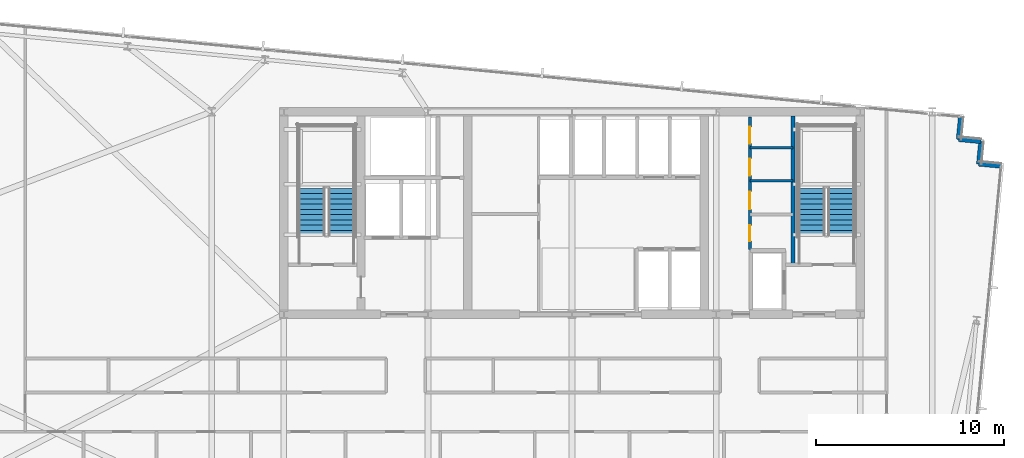
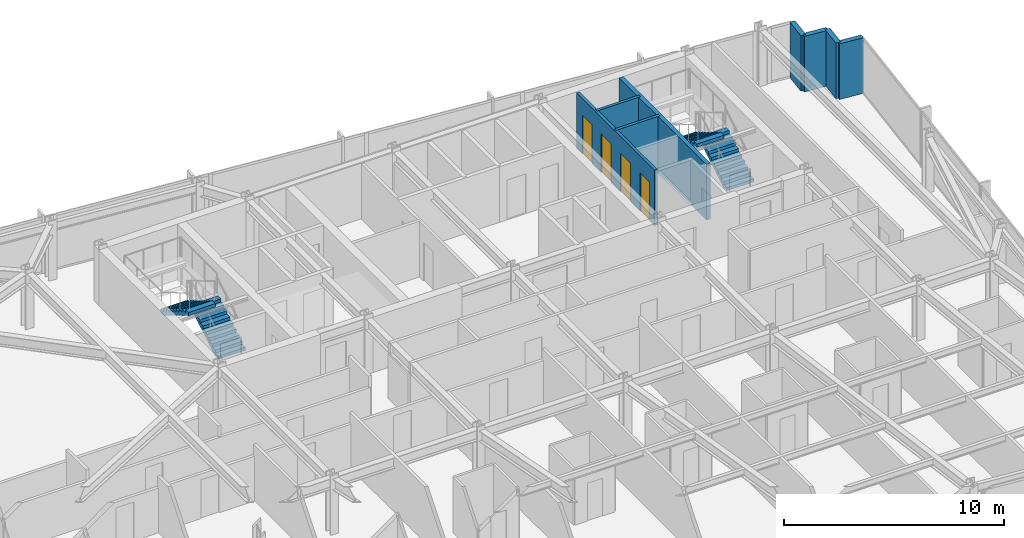
# One storey, part 32 of 38: 8 walls, 4 doors, 4 stair flights, 4 openings, 2 elements without a shape of their own.
"""IFC4 building model written with IfcOpenShell, lengths in metres."""

from ifc_helpers import new_model, si_unit, direction, frame, frame_2d, origin, place, context, subcontext, project, spatial, polyline, rectangle, outline, extrude, material, layer, layer_set, type_object, element, fill, aggregate, save


model = new_model("IFC4")

# Units and contexts
model_context = context("Model", 3, precision=1e-05, world=origin(), true_north=direction((0.0, 1.0)))
body_context = subcontext(model_context, "Body", "Model", "MODEL_VIEW")
ifc_project = project(units=[si_unit("LENGTHUNIT", "METRE"), si_unit("AREAUNIT", "SQUARE_METRE"), si_unit("VOLUMEUNIT", "CUBIC_METRE"), si_unit("PLANEANGLEUNIT", "RADIAN"), si_unit("MASSUNIT", "GRAM", prefix="KILO")], contexts=[model_context])

# Site, building, storey
site_placement = place(None, origin())
site = spatial("IfcSite", under=ifc_project, at=site_placement, CompositionType="ELEMENT")
building_placement = place(site_placement, origin())
building = spatial("IfcBuilding", under=site, at=building_placement, Name="Yelkora Congress Tower", CompositionType="ELEMENT")
storey_placement = place(building_placement, frame((0.0, 0.0, 178.699951171875)))
storey = spatial("IfcBuildingStorey", under=building, at=storey_placement, Name="L49", CompositionType="ELEMENT", Elevation=178.699951171875)

# Walls
ifc_material_1 = material(Name="Concrete C50/60", Category="concrete")
ifc_layer_1 = layer(ifc_material_1, 0.219970703125)
ifc_layer_set_1 = layer_set([ifc_layer_1], Name="Concrete C50/60")
wall_type_1 = type_object("IfcWallType", Name="WALL-CORE-INT-220", PredefinedType="SHEAR", material=ifc_layer_set_1)
wall_1_placement = place(storey_placement, frame((50.179931640625, 38.050048828125, 0.0), z_axis=(0.0, 0.0, 1.0), x_axis=(0.0, 1.0, 0.0)))
element("IfcWall", 1, at=wall_1_placement, inside=storey, type_object=wall_type_1, Name="L49 ST02 West Stair Shear Wall", PredefinedType="SHEAR", context=body_context, shape_type="SweptSolid", body=[
    extrude(rectangle(XDim=7.925048828125, YDim=0.219970703125, at=frame_2d((3.96240234375, 0.0))), origin(), (0.0, 0.0, 1.0), 3.080078125),
])
ifc_material_2 = material(Name="Concrete C40/50", Category="concrete")
ifc_layer_2 = layer(ifc_material_2, 0.239990234375)
ifc_layer_set_2 = layer_set([ifc_layer_2], Name="Concrete C40/50")
wall_type_2 = type_object("IfcWallType", Name="WALL-EXT-LIMESTONE-240", PredefinedType="SOLIDWALL", material=ifc_layer_set_2)
for number, where, z_axis, x_axis, name in (
    (2, (59.108642578125, 45.923095703125, 0.0), (0.0, 0.0, 1.0), (-0.095817067274, -0.995398960025, 0.0), "L49 Serrated Corner Limestone Pier 11"),
    (3, (58.99365234375, 44.728515625, 0.0), (0.0, 0.0, 1.0), (0.995398960025, -0.095817067274, 0.0), "L49 Serrated Corner Limestone Pier 12"),
    (4, (60.188232421875, 44.613525390625, 0.0), (0.0, 0.0, 1.0), (-0.096018626938, -0.995379537303, 0.0), "L49 Serrated Corner Limestone Pier 13"),
    (5, (60.072998046875, 43.4189453125, 0.0), (0.0, 0.0, 1.0), (0.995398960025, -0.095817067274, 0.0), "L49 Serrated Corner Limestone Pier 14"),
):
    element("IfcWall", number, at=place(storey_placement, frame(where, z_axis=z_axis, x_axis=x_axis)), inside=storey, type_object=wall_type_2, Name=name, PredefinedType="SOLIDWALL", context=body_context, shape_type="SweptSolid", body=[
        extrude(rectangle(XDim=1.2001953125, YDim=0.239990234375, at=frame_2d((0.60009765625, 0.0))), origin(), (0.0, 0.0, 1.0), 3.080078125),
    ])
ifc_material_3 = material(Name="Acoustic metal-stud gypsum partition", Category="gypsum")
ifc_layer_3 = layer(ifc_material_3, 0.14990234375)
ifc_layer_set_3 = layer_set([ifc_layer_3], Name="Acoustic metal-stud gypsum partition")
wall_type_3 = type_object("IfcWallType", Name="WALL-INT-150-NR", PredefinedType="PARTITIONING", material=ifc_layer_set_3)
for number, where, z_axis, x_axis, name in (
    (6, (47.8798828125, 42.52001953125, 0.0), (0.0, 0.0, 1.0), (1.0, 0.0, 0.0), "L49 Partition Wall 25"),
    (7, (47.8798828125, 44.280029296875, 0.0), (0.0, 0.0, 1.0), (1.0, 0.0, 0.0), "L49 Partition Wall 26"),
):
    element("IfcWall", number, at=place(storey_placement, frame(where, z_axis=z_axis, x_axis=x_axis)), inside=storey, type_object=wall_type_3, Name=name, PredefinedType="PARTITIONING", context=body_context, shape_type="SweptSolid", body=[
        extrude(rectangle(XDim=2.300048828125, YDim=0.14990234375, at=frame_2d((1.14990234375, 0.0))), origin(), (0.0, 0.0, 1.0), 3.080078125),
    ])

# Wall, openings, doors
wall_2_placement = place(storey_placement, frame((47.8798828125, 38.85009765625, 0.0), z_axis=(0.0, 0.0, 1.0), x_axis=(0.0, 1.0, 0.0)))
wall_2 = element("IfcWall", 8, at=wall_2_placement, inside=storey, type_object=wall_type_3, Name="L49 Partition Wall 27", PredefinedType="PARTITIONING", context=body_context, shape_type="SweptSolid", body=[
    extrude(rectangle(XDim=7.06982421875, YDim=0.14990234375, at=frame_2d((3.534912109375, 0.0))), origin(), (0.0, 0.0, 1.0), 3.080078125),
])
opening_1_placement = place(wall_2_placement, frame((0.449951171875, 0.0, 0.0)))
opening_1 = element("IfcOpeningElement", 9, at=opening_1_placement, cuts=wall_2, Name="Opening DR-085N", PredefinedType="OPENING", context=body_context, shape_type="SweptSolid", body=[
    extrude(rectangle(XDim=0.85009765625, YDim=2.14990234375, at=frame_2d((0.425048828125, 1.074951171875))), frame((0.0, 0.0849609375, 0.0), z_axis=(0.0, -1.0, 0.0), x_axis=(1.0, 0.0, 0.0)), (0.0, 0.0, 1.0), 0.169921875),
])
opening_2_placement = place(wall_2_placement, frame((2.14990234375, 0.0, 0.0)))
opening_2 = element("IfcOpeningElement", 10, at=opening_2_placement, cuts=wall_2, Name="Opening DR-095N", PredefinedType="OPENING", context=body_context, shape_type="SweptSolid", body=[
    extrude(rectangle(XDim=0.949951171875, YDim=2.14990234375, at=frame_2d((0.47509765625, 1.074951171875))), frame((0.0, 0.0849609375, 0.0), z_axis=(0.0, -1.0, 0.0), x_axis=(1.0, 0.0, 0.0)), (0.0, 0.0, 1.0), 0.169921875),
])
opening_3_placement = place(wall_2_placement, frame((3.949951171875, 0.0, 0.0)))
opening_3 = element("IfcOpeningElement", 11, at=opening_3_placement, cuts=wall_2, Name="Opening DR-090N", PredefinedType="OPENING", context=body_context, shape_type="SweptSolid", body=[
    extrude(rectangle(XDim=0.89990234375, YDim=2.14990234375, at=frame_2d((0.449951171875, 1.074951171875))), frame((0.0, 0.0849609375, 0.0), z_axis=(0.0, -1.0, 0.0), x_axis=(1.0, 0.0, 0.0)), (0.0, 0.0, 1.0), 0.169921875),
])
opening_4_placement = place(wall_2_placement, frame((5.64990234375, 0.0, 0.0)))
opening_4 = element("IfcOpeningElement", 12, at=opening_4_placement, cuts=wall_2, Name="Opening DR-090N", PredefinedType="OPENING", context=body_context, shape_type="SweptSolid", body=[
    extrude(rectangle(XDim=0.89990234375, YDim=2.14990234375, at=frame_2d((0.449951171875, 1.074951171875))), frame((0.0, 0.0849609375, 0.0), z_axis=(0.0, -1.0, 0.0), x_axis=(1.0, 0.0, 0.0)), (0.0, 0.0, 1.0), 0.169921875),
])
ifc_material_4 = material(Name="Laminate service store door leaf", Category="wood")
door_type_1 = type_object("IfcDoorType", Name="DOOR-INT-850", OperationType="NOTDEFINED", PredefinedType="DOOR", material=ifc_material_4)
door_1_placement = place(opening_1_placement, origin())
door_1 = element("IfcDoor", 13, at=door_1_placement, inside=storey, type_object=door_type_1, Name="L49 Janitor Room Door", OperationType="SINGLE_SWING_RIGHT", OverallHeight=2.14990234375, OverallWidth=0.85009765625, PredefinedType="DOOR", context=body_context, shape_type="SweptSolid", body=[
    extrude(rectangle(XDim=0.85009765625, YDim=2.14990234375, at=frame_2d((0.425048828125, 1.074951171875))), frame((0.0, 0.02490234375, 0.0), z_axis=(0.0, -1.0, 0.0), x_axis=(1.0, 0.0, 0.0)), (0.0, 0.0, 1.0), 0.050048828125),
])
fill(opening_1, door_1)
ifc_material_5 = material(Name="Moisture-resistant laminate door leaf", Category="wood")
door_type_2 = type_object("IfcDoorType", Name="DOOR-INT-900", OperationType="NOTDEFINED", PredefinedType="DOOR", material=ifc_material_5)
door_2_placement = place(opening_3_placement, origin())
door_2 = element("IfcDoor", 14, at=door_2_placement, inside=storey, type_object=door_type_2, Name="L49 Male WC Door", OperationType="SINGLE_SWING_RIGHT", OverallHeight=2.14990234375, OverallWidth=0.89990234375, PredefinedType="DOOR", context=body_context, shape_type="SweptSolid", body=[
    extrude(rectangle(XDim=0.89990234375, YDim=2.14990234375, at=frame_2d((0.449951171875, 1.074951171875))), frame((0.0, 0.02490234375, 0.0), z_axis=(0.0, -1.0, 0.0), x_axis=(1.0, 0.0, 0.0)), (0.0, 0.0, 1.0), 0.050048828125),
])
fill(opening_3, door_2)
door_3_placement = place(opening_4_placement, origin())
door_3 = element("IfcDoor", 15, at=door_3_placement, inside=storey, type_object=door_type_2, Name="L49 Female WC Door", OperationType="SINGLE_SWING_LEFT", OverallHeight=2.14990234375, OverallWidth=0.89990234375, PredefinedType="DOOR", context=body_context, shape_type="SweptSolid", body=[
    extrude(rectangle(XDim=0.89990234375, YDim=2.14990234375, at=frame_2d((0.449951171875, 1.074951171875))), frame((0.0, 0.02490234375, 0.0), z_axis=(0.0, -1.0, 0.0), x_axis=(1.0, 0.0, 0.0)), (0.0, 0.0, 1.0), 0.050048828125),
])
fill(opening_4, door_3)
ifc_material_6 = material(Name="Acoustic laminated timber office door", Category="wood")
door_type_3 = type_object("IfcDoorType", Name="DOOR-INT-950", OperationType="NOTDEFINED", PredefinedType="DOOR", material=ifc_material_6)
door_4_placement = place(opening_2_placement, origin())
door_4 = element("IfcDoor", 16, at=door_4_placement, inside=storey, type_object=door_type_3, Name="L49 Accessible WC Door", OperationType="SINGLE_SWING_LEFT", OverallHeight=2.14990234375, OverallWidth=0.949951171875, PredefinedType="DOOR", context=body_context, shape_type="SweptSolid", body=[
    extrude(rectangle(XDim=0.949951171875, YDim=2.14990234375, at=frame_2d((0.47509765625, 1.074951171875))), frame((0.0, 0.02490234375, 0.0), z_axis=(0.0, -1.0, 0.0), x_axis=(1.0, 0.0, 0.0)), (0.0, 0.0, 1.0), 0.050048828125),
])
fill(opening_2, door_4)

# Stair, stair flights
stair_type = type_object("IfcStairType", Name="STAIR-HT-1420-R20-165", PredefinedType="HALF_TURN_STAIR", material=ifc_material_2)
stair_1_placement = place(storey_placement, origin())
stair_1 = element("IfcStair", 17, at=stair_1_placement, inside=storey, type_object=stair_type, Name="West Core Protected Exit Stair ST-01 (L49)", PredefinedType="HALF_TURN_STAIR")
stair_flight_type = type_object("IfcStairFlightType", Name="FLIGHT-1420-N10-R165-G280", PredefinedType="STRAIGHT", material=ifc_material_2)
stair_flight_1_placement = place(storey_placement, frame((26.110107421875, 39.60009765625, 0.0), z_axis=(0.0, 0.0, 1.0), x_axis=(0.0, 1.0, 0.0)))
stair_flight_1 = element("IfcStairFlight", 18, at=stair_flight_1_placement, type_object=stair_flight_type, Name="ST-01 L49 Flight 1", NumberOfRisers=10, NumberOfTreads=9, PredefinedType="STRAIGHT", RiserHeight=0.165, TreadLength=0.28, context=body_context, shape_type="SweptSolid", body=[
    extrude(outline(polyline([(0.0, 0.0), (0.0, 0.1650390625), (0.280029296875, 0.1650390625), (0.280029296875, 0.330078125), (0.56005859375, 0.330078125), (0.56005859375, 0.4951171875), (0.840087890625, 0.4951171875), (0.840087890625, 0.659912109375), (1.1201171875, 0.659912109375), (1.1201171875, 0.824951171875), (1.39990234375, 0.824951171875), (1.39990234375, 0.989990234375), (1.679931640625, 0.989990234375), (1.679931640625, 1.155029296875), (1.9599609375, 1.155029296875), (1.9599609375, 1.320068359375), (2.239990234375, 1.320068359375), (2.239990234375, 1.485107421875), (2.52001953125, 1.485107421875), (2.52001953125, 1.64990234375), (2.52001953125, 1.29931640625), (0.31494140625, 0.0), (0.0, 0.0)])), frame((0.0, 0.7099609375, 0.0), z_axis=(0.0, -1.0, 0.0), x_axis=(1.0, 0.0, 0.0)), (0.0, 0.0, 1.0), 1.419921875),
])
stair_flight_2_placement = place(storey_placement, frame((24.530029296875, 42.1201171875, 1.650146484375), z_axis=(0.0, 0.0, 1.0), x_axis=(0.0, -1.0, 0.0)))
stair_flight_2 = element("IfcStairFlight", 19, at=stair_flight_2_placement, type_object=stair_flight_type, Name="ST-01 L49 Flight 2", NumberOfRisers=10, NumberOfTreads=9, PredefinedType="STRAIGHT", RiserHeight=0.165, TreadLength=0.28, context=body_context, shape_type="SweptSolid", body=[
    extrude(outline(polyline([(0.0, 0.0), (0.0, 0.1650390625), (0.280029296875, 0.1650390625), (0.280029296875, 0.330078125), (0.56005859375, 0.330078125), (0.56005859375, 0.4951171875), (0.840087890625, 0.4951171875), (0.840087890625, 0.659912109375), (1.1201171875, 0.659912109375), (1.1201171875, 0.824951171875), (1.39990234375, 0.824951171875), (1.39990234375, 0.989990234375), (1.679931640625, 0.989990234375), (1.679931640625, 1.155029296875), (1.9599609375, 1.155029296875), (1.9599609375, 1.320068359375), (2.239990234375, 1.320068359375), (2.239990234375, 1.485107421875), (2.52001953125, 1.485107421875), (2.52001953125, 1.64990234375), (2.52001953125, 1.29931640625), (0.31494140625, 0.0), (0.0, 0.0)])), frame((0.0, 0.7099609375, 0.0), z_axis=(0.0, -1.0, 0.0), x_axis=(1.0, 0.0, 0.0)), (0.0, 0.0, 1.0), 1.419921875),
])
aggregate(stair_1, [stair_flight_1, stair_flight_2])

stair_2_placement = place(storey_placement, origin())
stair_2 = element("IfcStair", 20, at=stair_2_placement, inside=storey, type_object=stair_type, Name="East Core Protected Exit Stair ST-02 (L49)", PredefinedType="HALF_TURN_STAIR")
stair_flight_3_placement = place(storey_placement, frame((52.75, 39.60009765625, 0.0), z_axis=(0.0, 0.0, 1.0), x_axis=(0.0, 1.0, 0.0)))
stair_flight_3 = element("IfcStairFlight", 21, at=stair_flight_3_placement, type_object=stair_flight_type, Name="ST-02 L49 Flight 1", NumberOfRisers=10, NumberOfTreads=9, PredefinedType="STRAIGHT", RiserHeight=0.165, TreadLength=0.28, context=body_context, shape_type="SweptSolid", body=[
    extrude(outline(polyline([(0.0, 0.0), (0.0, 0.1650390625), (0.280029296875, 0.1650390625), (0.280029296875, 0.330078125), (0.56005859375, 0.330078125), (0.56005859375, 0.4951171875), (0.840087890625, 0.4951171875), (0.840087890625, 0.659912109375), (1.1201171875, 0.659912109375), (1.1201171875, 0.824951171875), (1.39990234375, 0.824951171875), (1.39990234375, 0.989990234375), (1.679931640625, 0.989990234375), (1.679931640625, 1.155029296875), (1.9599609375, 1.155029296875), (1.9599609375, 1.320068359375), (2.239990234375, 1.320068359375), (2.239990234375, 1.485107421875), (2.52001953125, 1.485107421875), (2.52001953125, 1.64990234375), (2.52001953125, 1.29931640625), (0.31494140625, 0.0), (0.0, 0.0)])), frame((0.0, 0.7099609375, 0.0), z_axis=(0.0, -1.0, 0.0), x_axis=(1.0, 0.0, 0.0)), (0.0, 0.0, 1.0), 1.419921875),
])
stair_flight_4_placement = place(storey_placement, frame((51.169921875, 42.1201171875, 1.650146484375), z_axis=(0.0, 0.0, 1.0), x_axis=(0.0, -1.0, 0.0)))
stair_flight_4 = element("IfcStairFlight", 22, at=stair_flight_4_placement, type_object=stair_flight_type, Name="ST-02 L49 Flight 2", NumberOfRisers=10, NumberOfTreads=9, PredefinedType="STRAIGHT", RiserHeight=0.165, TreadLength=0.28, context=body_context, shape_type="SweptSolid", body=[
    extrude(outline(polyline([(0.0, 0.0), (0.0, 0.1650390625), (0.280029296875, 0.1650390625), (0.280029296875, 0.330078125), (0.56005859375, 0.330078125), (0.56005859375, 0.4951171875), (0.840087890625, 0.4951171875), (0.840087890625, 0.659912109375), (1.1201171875, 0.659912109375), (1.1201171875, 0.824951171875), (1.39990234375, 0.824951171875), (1.39990234375, 0.989990234375), (1.679931640625, 0.989990234375), (1.679931640625, 1.155029296875), (1.9599609375, 1.155029296875), (1.9599609375, 1.320068359375), (2.239990234375, 1.320068359375), (2.239990234375, 1.485107421875), (2.52001953125, 1.485107421875), (2.52001953125, 1.64990234375), (2.52001953125, 1.29931640625), (0.31494140625, 0.0), (0.0, 0.0)])), frame((0.0, 0.7099609375, 0.0), z_axis=(0.0, -1.0, 0.0), x_axis=(1.0, 0.0, 0.0)), (0.0, 0.0, 1.0), 1.419921875),
])
aggregate(stair_2, [stair_flight_3, stair_flight_4])

save(model, "model.ifc")
